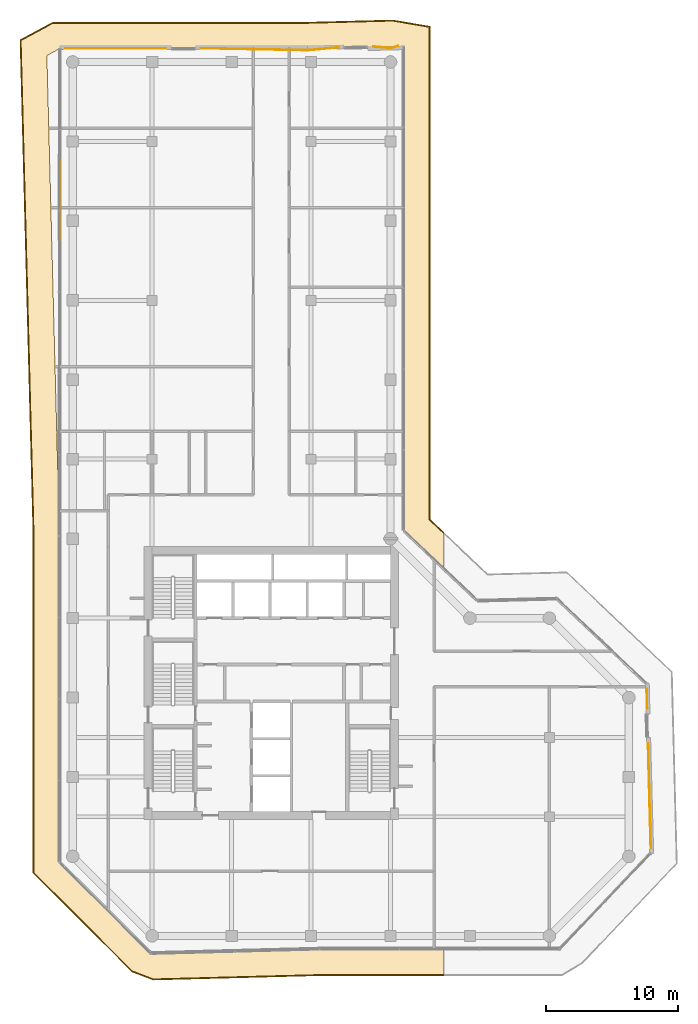
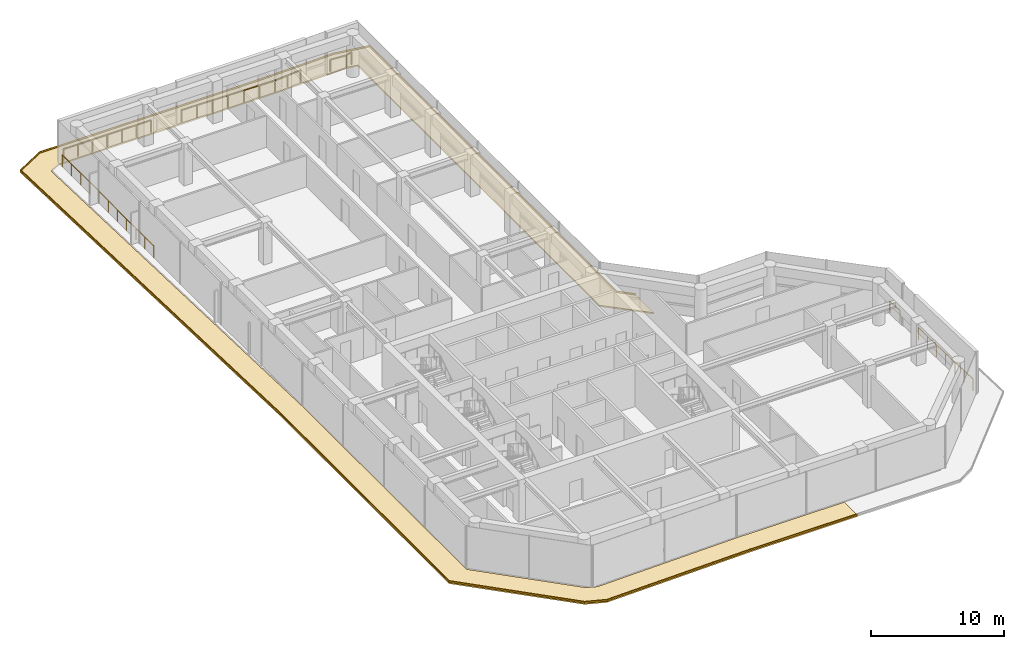
# One storey, part 20 of 20: 6 railings, 2 coverings.
"""IFC4 building model written with IfcOpenShell, lengths in metres."""

from ifc_helpers import new_model, si_unit, direction, frame, origin, origin_2d, place, context, subcontext, project, spatial, polyline, circle, outline, extrude, material, layer, layer_set, type_object, element, save


model = new_model("IFC4")

# Units and contexts
model_context = context("Model", 3, precision=1e-05, world=origin(), true_north=direction((0.0, 1.0)))
body_context = subcontext(model_context, "Body", "Model", "MODEL_VIEW")
ifc_project = project(units=[si_unit("LENGTHUNIT", "METRE"), si_unit("AREAUNIT", "SQUARE_METRE"), si_unit("VOLUMEUNIT", "CUBIC_METRE"), si_unit("PLANEANGLEUNIT", "RADIAN"), si_unit("MASSUNIT", "GRAM", prefix="KILO")], contexts=[model_context])

# Site, building, storey
site_placement = place(None, origin())
site = spatial("IfcSite", under=ifc_project, at=site_placement, CompositionType="ELEMENT")
building_placement = place(site_placement, origin())
building = spatial("IfcBuilding", under=site, at=building_placement, Name="Welwitschia Terrace Campus", CompositionType="ELEMENT")
storey_placement = place(building_placement, frame((0.0, 0.0, 176.0)))
storey = spatial("IfcBuildingStorey", under=building, at=storey_placement, Name="L39", CompositionType="ELEMENT", Elevation=176.0)

# Railings
ifc_material_1 = material(Name="Stainless steel grade 316", Category="steel")
railing_type = type_object("IfcRailingType", Name="Guard 1100", PredefinedType="GUARDRAIL", material=ifc_material_1)
railing_1_placement = place(storey_placement, frame((-1.016357421875, 48.591796875, 0.0)))
element("IfcRailing", 1, at=railing_1_placement, inside=storey, type_object=railing_type, Name="Guard floor edge L39.0", PredefinedType="GUARDRAIL", context=body_context, shape_type="SweptSolid", body=[
    extrude(circle(Radius=0.02392578125, at=origin_2d()), frame((0.0, 0.0, 1.076171875), z_axis=(0.000600558058, 0.999999819665, 0.0), x_axis=(-0.999999819665, 0.000600558058, 0.0)), (0.0, 0.0, 1.0), 13.82177734375),
    extrude(circle(Radius=0.02099609375, at=origin_2d()), origin(), (0.0, 0.0, 1.0), 1.052001953125),
    extrude(circle(Radius=0.02099609375, at=origin_2d()), frame((0.000732421875, 1.382080078125, 0.0)), (0.0, 0.0, 1.0), 1.052001953125),
    extrude(circle(Radius=0.02099609375, at=origin_2d()), frame((0.001708984375, 2.764404296875, 0.0)), (0.0, 0.0, 1.0), 1.052001953125),
    extrude(circle(Radius=0.02099609375, at=origin_2d()), frame((0.00244140625, 4.146484375, 0.0)), (0.0, 0.0, 1.0), 1.052001953125),
    extrude(circle(Radius=0.02099609375, at=origin_2d()), frame((0.00341796875, 5.52880859375, 0.0)), (0.0, 0.0, 1.0), 1.052001953125),
    extrude(circle(Radius=0.02099609375, at=origin_2d()), frame((0.004150390625, 6.910888671875, 0.0)), (0.0, 0.0, 1.0), 1.052001953125),
    extrude(circle(Radius=0.02099609375, at=origin_2d()), frame((0.0048828125, 8.29296875, 0.0)), (0.0, 0.0, 1.0), 1.052001953125),
    extrude(circle(Radius=0.02099609375, at=origin_2d()), frame((0.005859375, 9.67529296875, 0.0)), (0.0, 0.0, 1.0), 1.052001953125),
    extrude(circle(Radius=0.02099609375, at=origin_2d()), frame((0.006591796875, 11.057373046875, 0.0)), (0.0, 0.0, 1.0), 1.052001953125),
    extrude(circle(Radius=0.02099609375, at=origin_2d()), frame((0.007568359375, 12.439697265625, 0.0)), (0.0, 0.0, 1.0), 1.052001953125),
    extrude(circle(Radius=0.02099609375, at=origin_2d()), frame((0.00830078125, 13.82177734375, 0.0)), (0.0, 0.0, 1.0), 1.052001953125),
])
railing_2_placement = place(storey_placement, frame((-0.5576171875, 63.030029296875, 0.0)))
element("IfcRailing", 2, at=railing_2_placement, inside=storey, type_object=railing_type, Name="Guard floor edge L39.1", PredefinedType="GUARDRAIL", context=body_context, shape_type="SweptSolid", body=[
    extrude(circle(Radius=0.02392578125, at=origin_2d()), frame((0.0, 0.0, 1.076171875), z_axis=(1.0, 0.0, 0.0), x_axis=(0.0, 1.0, 0.0)), (0.0, 0.0, 1.0), 7.59765625),
    extrude(circle(Radius=0.02099609375, at=origin_2d()), origin(), (0.0, 0.0, 1.0), 1.052001953125),
    extrude(circle(Radius=0.02099609375, at=origin_2d()), frame((1.266357421875, 0.0, 0.0)), (0.0, 0.0, 1.0), 1.052001953125),
    extrude(circle(Radius=0.02099609375, at=origin_2d()), frame((2.532470703125, 0.0, 0.0)), (0.0, 0.0, 1.0), 1.052001953125),
    extrude(circle(Radius=0.02099609375, at=origin_2d()), frame((3.798828125, 0.0, 0.0)), (0.0, 0.0, 1.0), 1.052001953125),
    extrude(circle(Radius=0.02099609375, at=origin_2d()), frame((5.065185546875, 0.0, 0.0)), (0.0, 0.0, 1.0), 1.052001953125),
    extrude(circle(Radius=0.02099609375, at=origin_2d()), frame((6.331298828125, 0.0, 0.0)), (0.0, 0.0, 1.0), 1.052001953125),
    extrude(circle(Radius=0.02099609375, at=origin_2d()), frame((7.59765625, 0.0, 0.0)), (0.0, 0.0, 1.0), 1.052001953125),
])
railing_3_placement = place(storey_placement, frame((9.6875, 63.030029296875, 0.0)))
element("IfcRailing", 3, at=railing_3_placement, inside=storey, type_object=railing_type, Name="Guard floor edge L39.2", PredefinedType="GUARDRAIL", context=body_context, shape_type="SweptSolid", body=[
    extrude(circle(Radius=0.02392578125, at=origin_2d()), frame((0.0, 0.0, 1.076171875), z_axis=(0.999826093285, -0.018648945996, 0.0), x_axis=(0.018648945996, 0.999826093285, 0.0)), (0.0, 0.0, 1.0), 8.05126953125),
    extrude(circle(Radius=0.02392578125, at=origin_2d()), frame((8.0498046875, -0.150146484375, 1.076171875), z_axis=(0.99589921224, 0.090469658225, 0.0), x_axis=(-0.090469658225, 0.99589921224, 0.0)), (0.0, 0.0, 1.0), 2.33154296875),
    extrude(circle(Radius=0.02099609375, at=origin_2d()), origin(), (0.0, 0.0, 1.0), 1.052001953125),
    extrude(circle(Radius=0.02099609375, at=origin_2d()), frame((1.341552734375, -0.02490234375, 0.0)), (0.0, 0.0, 1.0), 1.052001953125),
    extrude(circle(Radius=0.02099609375, at=origin_2d()), frame((2.683349609375, -0.050048828125, 0.0)), (0.0, 0.0, 1.0), 1.052001953125),
    extrude(circle(Radius=0.02099609375, at=origin_2d()), frame((4.02490234375, -0.0751953125, 0.0)), (0.0, 0.0, 1.0), 1.052001953125),
    extrude(circle(Radius=0.02099609375, at=origin_2d()), frame((5.366455078125, -0.10009765625, 0.0)), (0.0, 0.0, 1.0), 1.052001953125),
    extrude(circle(Radius=0.02099609375, at=origin_2d()), frame((6.708251953125, -0.125, 0.0)), (0.0, 0.0, 1.0), 1.052001953125),
    extrude(circle(Radius=0.02099609375, at=origin_2d()), frame((8.0498046875, -0.150146484375, 0.0)), (0.0, 0.0, 1.0), 1.052001953125),
    extrude(circle(Radius=0.02099609375, at=origin_2d()), frame((9.2109375, -0.044677734375, 0.0)), (0.0, 0.0, 1.0), 1.052001953125),
    extrude(circle(Radius=0.02099609375, at=origin_2d()), frame((10.371826171875, 0.060791015625, 0.0)), (0.0, 0.0, 1.0), 1.052001953125),
])
railing_4_placement = place(storey_placement, frame((22.705810546875, 63.16015625, 0.0)))
element("IfcRailing", 4, at=railing_4_placement, inside=storey, type_object=railing_type, Name="Guard floor edge L39.3", PredefinedType="GUARDRAIL", context=body_context, shape_type="SweptSolid", body=[
    extrude(circle(Radius=0.02392578125, at=origin_2d()), frame((0.0, 0.0, 1.076171875), z_axis=(0.996247465717, -0.086550488463, 0.0), x_axis=(0.086550488463, 0.996247465717, 0.0)), (0.0, 0.0, 1.0), 1.331298828125),
    extrude(circle(Radius=0.02392578125, at=origin_2d()), frame((1.326416015625, -0.115234375, 1.076171875), z_axis=(0.95696627333, 0.290199158699, 0.0), x_axis=(-0.290199158699, 0.95696627333, 0.0)), (0.0, 0.0, 1.0), 0.5654296875),
    extrude(circle(Radius=0.02099609375, at=origin_2d()), origin(), (0.0, 0.0, 1.0), 1.052001953125),
    extrude(circle(Radius=0.02099609375, at=origin_2d()), frame((1.326416015625, -0.115234375, 0.0)), (0.0, 0.0, 1.0), 1.052001953125),
    extrude(circle(Radius=0.02099609375, at=origin_2d()), frame((1.867431640625, 0.048828125, 0.0)), (0.0, 0.0, 1.0), 1.052001953125),
])
railing_5_placement = place(storey_placement, frame((43.347412109375, 14.656982421875, 0.0)))
element("IfcRailing", 5, at=railing_5_placement, inside=storey, type_object=railing_type, Name="Guard floor edge L39.4", PredefinedType="GUARDRAIL", context=body_context, shape_type="SweptSolid", body=[
    extrude(circle(Radius=0.02392578125, at=origin_2d()), frame((0.0, 0.0, 1.076171875), z_axis=(0.026144649796, -0.99965817022, 0.0), x_axis=(0.99965817022, 0.026144649796, 0.0)), (0.0, 0.0, 1.0), 1.466064453125),
    extrude(circle(Radius=0.02099609375, at=origin_2d()), origin(), (0.0, 0.0, 1.0), 1.052001953125),
    extrude(circle(Radius=0.02099609375, at=origin_2d()), frame((0.038330078125, -1.465576171875, 0.0)), (0.0, 0.0, 1.0), 1.052001953125),
])
railing_6_placement = place(storey_placement, frame((43.455078125, 10.544921875, 0.0)))
element("IfcRailing", 6, at=railing_6_placement, inside=storey, type_object=railing_type, Name="Guard floor edge L39.5", PredefinedType="GUARDRAIL", context=body_context, shape_type="SweptSolid", body=[
    extrude(circle(Radius=0.02392578125, at=origin_2d()), frame((0.0, 0.0, 1.076171875), z_axis=(0.026169207179, -0.999657527654, 0.0), x_axis=(0.999657527654, 0.026169207179, 0.0)), (0.0, 0.0, 1.0), 7.892578125),
    extrude(circle(Radius=0.02099609375, at=origin_2d()), origin(), (0.0, 0.0, 1.0), 1.052001953125),
    extrude(circle(Radius=0.02099609375, at=origin_2d()), frame((0.034423828125, -1.31494140625, 0.0)), (0.0, 0.0, 1.0), 1.052001953125),
    extrude(circle(Radius=0.02099609375, at=origin_2d()), frame((0.06884765625, -2.6298828125, 0.0)), (0.0, 0.0, 1.0), 1.052001953125),
    extrude(circle(Radius=0.02099609375, at=origin_2d()), frame((0.103271484375, -3.94482421875, 0.0)), (0.0, 0.0, 1.0), 1.052001953125),
    extrude(circle(Radius=0.02099609375, at=origin_2d()), frame((0.1376953125, -5.260009765625, 0.0)), (0.0, 0.0, 1.0), 1.052001953125),
    extrude(circle(Radius=0.02099609375, at=origin_2d()), frame((0.172119140625, -6.574951171875, 0.0)), (0.0, 0.0, 1.0), 1.052001953125),
    extrude(circle(Radius=0.02099609375, at=origin_2d()), frame((0.20654296875, -7.889892578125, 0.0)), (0.0, 0.0, 1.0), 1.052001953125),
])

# Coverings
ifc_material_2 = material(Name="Bronze anodised aluminium", Category="aluminium")
ifc_layer_1 = layer(ifc_material_2, 0.1201171875)
ifc_layer_set_1 = layer_set([ifc_layer_1], Name="Bronze anodised aluminium")
covering_type_1 = type_object("IfcCoveringType", Name="Sunshade band 2000", PredefinedType="USERDEFINED", material=ifc_layer_set_1)
covering_1_placement = place(storey_placement, frame((0.0, 0.0, -0.25)))
element("IfcCovering", 7, at=covering_1_placement, inside=storey, type_object=covering_type_1, Name="SUNSHADE L39.SW0", ObjectType="SUNSHADE", PredefinedType="USERDEFINED", context=body_context, shape_type="SweptSolid", body=[
    extrude(outline(polyline([(17.70947265625, 65.0), (24.185791015625, 65.169677734375), (27.0, 64.68505859375), (27.0, 27.44970703125), (28.0498046875, 26.45361328125), (28.0498046875, 23.6962890625), (25.0, 26.590576171875), (25.0, 63.0), (24.041015625, 63.1650390625), (17.735595703125, 63.0), (-1.0, 63.0), (-1.9501953125, 62.484619140625), (-1.0, 26.19775390625), (-1.0, 1.585693359375), (5.585693359375, -5.0), (6.413330078125, -5.31982421875), (18.625732421875, -5.0), (28.0498046875, -5.0), (28.0498046875, -7.0), (18.652099609375, -7.0), (6.065673828125, -7.32958984375), (4.470458984375, -6.713134765625), (-3.0, 0.75732421875), (-3.0, 26.17138671875), (-3.981689453125, 63.65771484375), (-1.507568359375, 65.0), (17.70947265625, 65.0)])), origin(), (0.0, 0.0, 1.0), 0.1201171875),
])
ifc_material_3 = material(Name="Bronze anodised aluminium", Category="aluminium")
ifc_layer_2 = layer(ifc_material_3, 0.06005859375)
ifc_layer_set_2 = layer_set([ifc_layer_2], Name="Bronze anodised aluminium")
covering_type_2 = type_object("IfcCoveringType", Name="Sunshade lip 60", PredefinedType="USERDEFINED", material=ifc_layer_set_2)
covering_2_placement = place(storey_placement, frame((0.0, 0.0, -0.1298828125)))
element("IfcCovering", 8, at=covering_2_placement, inside=storey, type_object=covering_type_2, Name="SUNSHADE LIP L39.SW0.0", ObjectType="SUNSHADE", PredefinedType="USERDEFINED", context=body_context, shape_type="SweptSolid", body=[
    extrude(outline(polyline([(24.185791015625, 65.169677734375), (27.0, 64.68505859375), (27.0, 27.44970703125), (28.0498046875, 26.45361328125), (28.0498046875, 26.370849609375), (26.93994140625, 27.424072265625), (26.93994140625, 64.634521484375), (24.181396484375, 65.109619140625), (17.710205078125, 64.93994140625), (-1.4921875, 64.93994140625), (-3.920654296875, 63.62255859375), (-2.93994140625, 26.17236328125), (-2.93994140625, 0.7822265625), (4.50390625, -6.661865234375), (6.076171875, -7.269287109375), (18.651123046875, -6.93994140625), (28.0498046875, -6.93994140625), (28.0498046875, -7.0), (18.652099609375, -7.0), (6.065673828125, -7.32958984375), (4.470458984375, -6.713134765625), (-3.0, 0.75732421875), (-3.0, 26.17138671875), (-3.981689453125, 63.65771484375), (-1.507568359375, 65.0), (17.70947265625, 65.0), (24.185791015625, 65.169677734375)])), origin(), (0.0, 0.0, 1.0), 0.1298828125),
])

save(model, "model.ifc")
